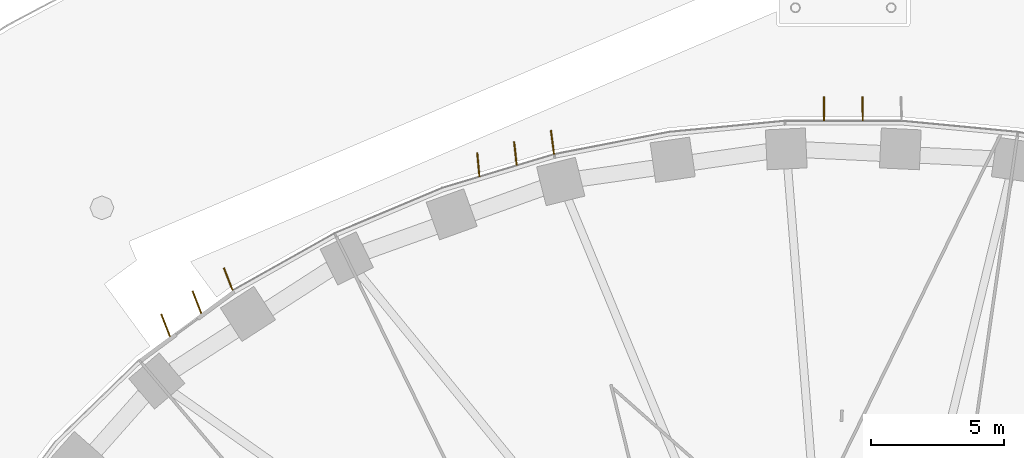
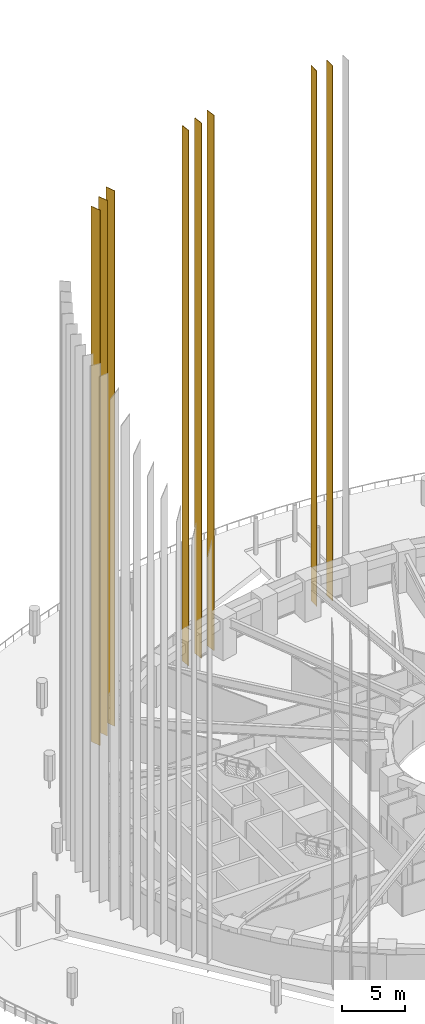
# One storey, part 26 of 30: 8 coverings.
"""IFC4 building model written with IfcOpenShell, lengths in metres."""

from ifc_helpers import new_model, si_unit, direction, frame, origin, origin_2d, place, context, subcontext, project, spatial, rectangle, extrude, material, material_profile, profile_set, type_object, element, save


model = new_model("IFC4")

# Units and contexts
model_context = context("Model", 3, precision=1e-05, world=origin(), true_north=direction((0.0, 1.0)))
body_context = subcontext(model_context, "Body", "Model", "MODEL_VIEW")
ifc_project = project(units=[si_unit("LENGTHUNIT", "METRE"), si_unit("AREAUNIT", "SQUARE_METRE"), si_unit("VOLUMEUNIT", "CUBIC_METRE"), si_unit("PLANEANGLEUNIT", "RADIAN"), si_unit("MASSUNIT", "GRAM", prefix="KILO")], contexts=[model_context])

# Site, building, storey
site_placement = place(None, origin())
site = spatial("IfcSite", under=ifc_project, at=site_placement, CompositionType="ELEMENT")
building_placement = place(site_placement, origin())
building = spatial("IfcBuilding", under=site, at=building_placement, Name="Noorbagh Ring Tower", CompositionType="ELEMENT")
storey_placement = place(building_placement, frame((0.0, 0.0, 30.5)))
storey = spatial("IfcBuildingStorey", under=building, at=storey_placement, Name="L05", CompositionType="ELEMENT", Elevation=30.5)

# Coverings
ifc_material = material(Name="Aluminium 6063-T6 black anodised", Category="aluminium")
ifc_material_profile = material_profile(ifc_material, rectangle(XDim=0.89990234375, YDim=0.050048828125, at=origin_2d()), Name="900x50")
ifc_profile_set = profile_set([ifc_material_profile], Name="Aluminium 6063-T6 black anodised")
covering_type = type_object("IfcCoveringType", Name="ENV-FIN", PredefinedType="CLADDING", material=ifc_profile_set)
for number, where, z_axis, x_axis, name in (
    (1, (0.7255859375, 28.398681640625, -0.284912109375), (0.0, 0.0, 1.0), (-0.011915412219, 0.999929008956, 0.0), "Fin F12 2 L05-L17"),
    (2, (-0.7255859375, 28.398681640625, -0.284912109375), (0.0, 0.0, 1.0), (0.011915412219, 0.999929008956, 0.0), "Fin F12 3 L05-L17"),
    (3, (-10.923583984375, 27.14501953125, -0.284912109375), (0.0, 0.0, 1.0), (-0.126759493419, 0.99193348105, 0.0), "Fin F15 1 L05-L17"),
    (4, (-12.31591796875, 26.72509765625, -0.284912109375), (0.0, 0.0, 1.0), (-0.109101232004, 0.994030643982, 0.0), "Fin F15 2 L05-L17"),
    (5, (-13.708740234375, 26.304931640625, -0.284912109375), (0.0, 0.0, 1.0), (-0.092918421481, 0.995673725148, 0.0), "Fin F15 3 L05-L17"),
    (6, (-23.100830078125, 22.00830078125, -0.284912109375), (0.0, 0.0, 1.0), (-0.365038143381, 0.930992563814, 0.0), "Fin F18 1 L05-L17"),
    (7, (-24.277587890625, 21.1416015625, -0.284912109375), (0.0, 0.0, 1.0), (-0.364533046139, 0.931190452202, 0.0), "Fin F18 2 L05-L17"),
    (8, (-25.455078125, 20.2744140625, -0.284912109375), (0.0, 0.0, 1.0), (-0.366046969104, 0.930596376745, 0.0), "Fin F18 3 L05-L17"),
):
    element("IfcCovering", number, at=place(storey_placement, frame(where, z_axis=z_axis, x_axis=x_axis)), inside=storey, type_object=covering_type, Name=name, ObjectType="FIN", PredefinedType="CLADDING", context=body_context, shape_type="SweptSolid", body=[
        extrude(rectangle(XDim=0.89990234375, YDim=0.050048828125, at=origin_2d()), origin(), (0.0, 0.0, 1.0), 51.969970703125),
    ])

save(model, "model.ifc")
